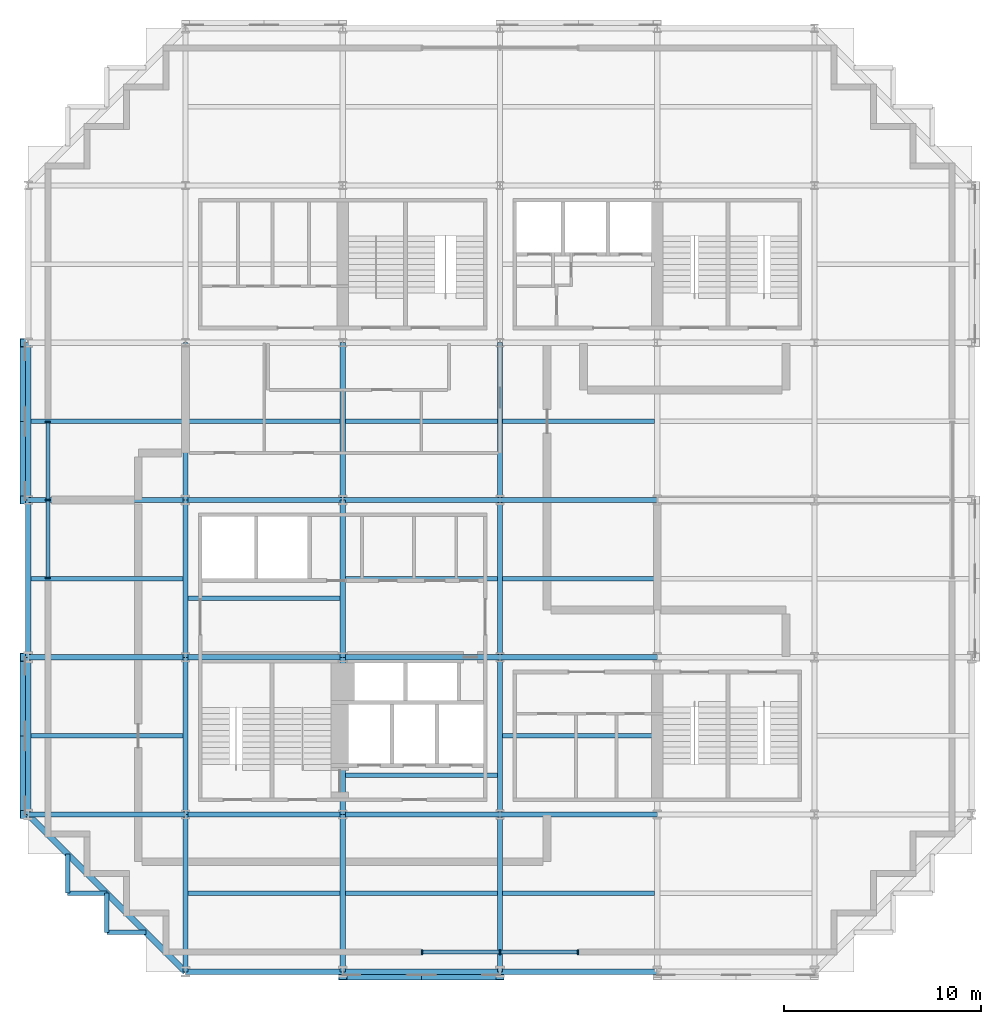
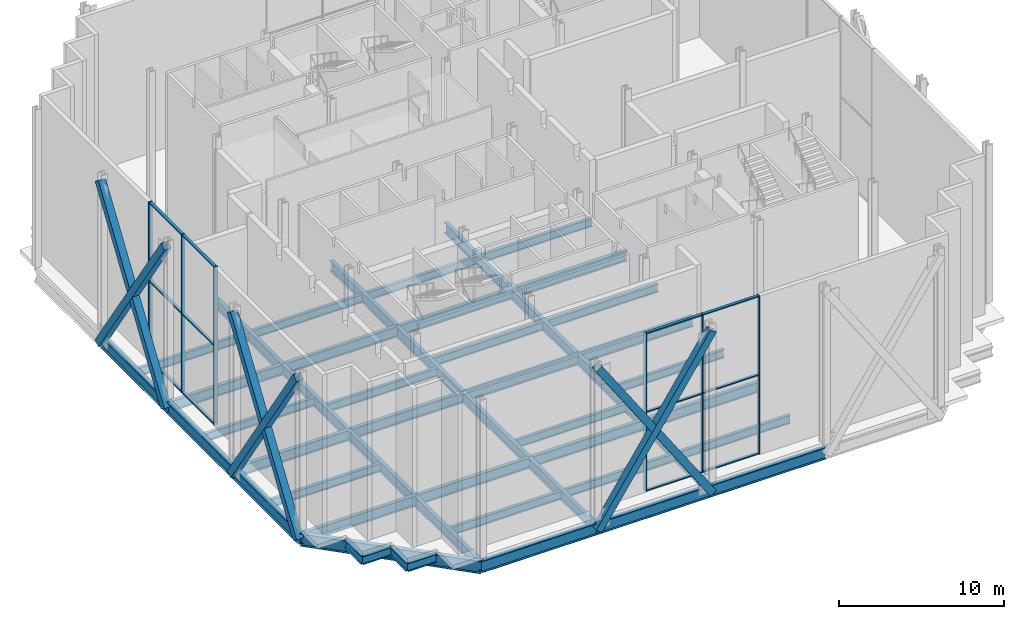
# One storey, part 3 of 14: 49 beams, 24 members, 2 elements without a shape of their own.
"""IFC4 building model written with IfcOpenShell, lengths in metres."""

import ifcopenshell
import ifcopenshell.guid

model = None  # the IFC model being written
_history = None  # IfcOwnerHistory: only IFC2X3 demands one
_inside = {}  # id of a spatial element -> (the spatial element, [elements in it])
_under = {}  # id of a project, library or spatial element -> (it, [spatial elements below it])
_declared = {}  # id of a project -> (the project, [libraries it declares])
_typed = {}  # id of a type object -> (the type object, [elements of that type])
_made_of = {}  # id of a material, layer set ... -> (it, [elements and type objects made of it])


def new_model(schema):
    """Start an empty IFC model of exactly this schema.

    Asked for "IFC4X3", IfcOpenShell would pick the latest addendum, in which some entities
    have other attributes; the version numbers below select the first issue.
    IFC2X3 requires an IfcOwnerHistory on every rooted entity: one is made here for all.
    """
    global model, _history
    if schema == "IFC4X3":
        model = ifcopenshell.file(schema_version=(4, 3, 0, 0))
    else:
        model = ifcopenshell.file(schema=schema)
    _inside.clear()
    _under.clear()
    _declared.clear()
    _typed.clear()
    _made_of.clear()
    _history = None
    if model.schema == "IFC2X3":
        org = make("IfcOrganization", Name="unknown")
        user = make(
            "IfcPersonAndOrganization",
            ThePerson=make("IfcPerson", FamilyName="unknown"),
            TheOrganization=org,
        )
        app = make(
            "IfcApplication",
            ApplicationDeveloper=org,
            Version="unknown",
            ApplicationFullName="unknown",
            ApplicationIdentifier="unknown",
        )
        _history = make(
            "IfcOwnerHistory",
            OwningUser=user,
            OwningApplication=app,
            ChangeAction="ADDED",
            CreationDate=0,
        )
    return model


def make(cls, **values):
    """One entity of the class cls with the attributes given. An attribute that is None is left unset."""
    return model.create_entity(
        cls, **{name: value for name, value in values.items() if value is not None}
    )


def rooted(cls, **values):
    """An entity with a GlobalId (a new one), such as an element, a storey or a relation."""
    return make(cls, GlobalId=ifcopenshell.guid.new(), OwnerHistory=_history, **values)


def si_unit(unit_type, name, prefix=None):
    """IfcSIUnit, for example si_unit("LENGTHUNIT", "METRE", prefix="MILLI")."""
    return make("IfcSIUnit", UnitType=unit_type, Prefix=prefix, Name=name)


def assignment(units):
    """IfcUnitAssignment: the units of a project."""
    return None if units is None else make("IfcUnitAssignment", Units=units)


def point(xyz):
    """IfcCartesianPoint."""
    return None if xyz is None else make("IfcCartesianPoint", Coordinates=xyz)


def direction(xyz):
    """IfcDirection."""
    return None if xyz is None else make("IfcDirection", DirectionRatios=xyz)


def frame(location, z_axis=None, x_axis=None):
    """IfcAxis2Placement3D, a coordinate frame: its origin and axes. An axis left out is left unset."""
    return make(
        "IfcAxis2Placement3D",
        Location=point(location),
        Axis=direction(z_axis),
        RefDirection=direction(x_axis),
    )


def frame_2d(location, x_axis=None):
    """IfcAxis2Placement2D, a coordinate frame in the plane: its origin and x axis."""
    return make(
        "IfcAxis2Placement2D", Location=point(location), RefDirection=direction(x_axis)
    )


def origin():
    """The frame at (0, 0, 0) with its axes left unset."""
    return frame((0.0, 0.0, 0.0))


def origin_2d():
    """The frame at (0, 0) in the plane with its x axis left unset."""
    return frame_2d((0.0, 0.0))


def place(relative_to, where):
    """IfcLocalPlacement: puts the frame where relative to a parent placement (None: the world)."""
    return make(
        "IfcLocalPlacement", PlacementRelTo=relative_to, RelativePlacement=where
    )


def context(
    kind, dimensions, precision=None, world=None, true_north=None, identifier=None
):
    """IfcGeometricRepresentationContext, for example the 3D "Model" context."""
    return make(
        "IfcGeometricRepresentationContext",
        ContextIdentifier=identifier,
        ContextType=kind,
        CoordinateSpaceDimension=dimensions,
        Precision=precision,
        WorldCoordinateSystem=world,
        TrueNorth=true_north,
    )


def subcontext(parent, identifier, kind, view, scale=None):
    """IfcGeometricRepresentationSubContext, for example "Body" below "Model"."""
    return make(
        "IfcGeometricRepresentationSubContext",
        ContextIdentifier=identifier,
        ContextType=kind,
        ParentContext=parent,
        TargetScale=scale,
        TargetView=view,
    )


def project(units=None, contexts=None):
    """IfcProject with its units and contexts."""
    return rooted(
        "IfcProject",
        Name="project",
        RepresentationContexts=contexts,
        UnitsInContext=assignment(units),
    )


def spatial(cls, under=None, at=None, **own):
    """A site, building, storey or space (cls), placed at a placement, below another one or the project."""
    s = rooted(cls, ObjectPlacement=at, **own)
    if under is not None:
        _under.setdefault(under.id(), (under, []))[1].append(s)
    return s


def profile(cls, at=None, kind="AREA", **sizes):
    """A parametric profile (cls). Its sizes go by their IFC names, for example OverallWidth=200.0."""
    return make(cls, ProfileType=kind, Position=at, **sizes)


def rectangle(**sizes):
    """IfcRectangleProfileDef."""
    return profile("IfcRectangleProfileDef", **sizes)


def hollow_rectangle(**sizes):
    """IfcRectangleHollowProfileDef."""
    return profile("IfcRectangleHollowProfileDef", **sizes)


def i_section(**sizes):
    """IfcIShapeProfileDef."""
    return profile("IfcIShapeProfileDef", **sizes)


def extrude(swept, where, along, depth):
    """IfcExtrudedAreaSolid: the profile swept, set in the frame where, extruded along a direction by depth."""
    return make(
        "IfcExtrudedAreaSolid",
        SweptArea=swept,
        Position=where,
        ExtrudedDirection=direction(along),
        Depth=depth,
    )


def shape(context_of_items, identifier, shape_type, items):
    """IfcShapeRepresentation: the items that make up one representation, for example the "Body"."""
    return make(
        "IfcShapeRepresentation",
        ContextOfItems=context_of_items,
        RepresentationIdentifier=identifier,
        RepresentationType=shape_type,
        Items=items,
    )


def material(Name=None, Category=None):
    """IfcMaterial."""
    return make("IfcMaterial", Name=Name, Category=Category)


def material_profile(
    of_material, cross_section, Name=None, Category=None, Priority=None
):
    """IfcMaterialProfile: a cross section and its material."""
    return make(
        "IfcMaterialProfile",
        Name=Name,
        Material=of_material,
        Profile=cross_section,
        Priority=Priority,
        Category=Category,
    )


def profile_set(profiles, Name=None, composite=None):
    """IfcMaterialProfileSet."""
    return make(
        "IfcMaterialProfileSet",
        Name=Name,
        MaterialProfiles=profiles,
        CompositeProfile=composite,
    )


def made_of(thing, what):
    """Note that an element or type object is made of a material, layer set ...; save() writes the relation."""
    if what is not None:
        _made_of.setdefault(what.id(), (what, []))[1].append(thing)
    return thing


def type_object(cls, material=None, **own):
    """A type object (cls), such as IfcWallType, which elements share."""
    return made_of(rooted(cls, **own), material)


def element(
    cls,
    number,
    at=None,
    inside=None,
    cuts=None,
    type_object=None,
    material=None,
    context=None,
    identifier="Body",
    shape_type=None,
    held_by="IfcProductDefinitionShape",
    body=None,
    shapes=None,
    **own,
):
    """One element of the class cls, such as IfcWall. Its Tag is "e" and its number.

    at: its placement. inside: the storey or other place that contains it. cuts: it is an
    opening in that element (IfcRelVoidsElement). A single representation is given by context,
    identifier, shape_type and body (its items); several are given by shapes. held_by: the class
    of the entity that holds the representations. save() writes the other relations.
    """
    e = rooted(cls, Tag="e%d" % number, ObjectPlacement=at, **own)
    if body is not None:
        shapes = [shape(context, identifier, shape_type, body)]
    if shapes is not None:
        e.Representation = make(held_by, Representations=shapes)
    if inside is not None:
        _inside.setdefault(inside.id(), (inside, []))[1].append(e)
    if cuts is not None:
        rooted(
            "IfcRelVoidsElement", RelatingBuildingElement=cuts, RelatedOpeningElement=e
        )
    if type_object is not None:
        _typed.setdefault(type_object.id(), (type_object, []))[1].append(e)
    return made_of(e, material)


def aggregate(whole, parts):
    """IfcRelAggregates: a whole, such as a stair, and the parts it consists of."""
    return rooted("IfcRelAggregates", RelatingObject=whole, RelatedObjects=parts)


def save(model, path):
    """Write the relations noted so far, then the file.

    IfcRelAggregates (storeys below a building ...), IfcRelContainedInSpatialStructure (elements
    in a storey), IfcRelDefinesByType, IfcRelAssociatesMaterial and IfcRelDeclares: one each for
    every whole, place, type object, material and project.
    """
    for whole, parts in _under.values():
        aggregate(whole, parts)
    for where, things in _inside.values():
        rooted(
            "IfcRelContainedInSpatialStructure",
            RelatedElements=things,
            RelatingStructure=where,
        )
    for kind, things in _typed.values():
        rooted("IfcRelDefinesByType", RelatedObjects=things, RelatingType=kind)
    for what, things in _made_of.values():
        rooted("IfcRelAssociatesMaterial", RelatedObjects=things, RelatingMaterial=what)
    for by, libraries in _declared.values():
        rooted("IfcRelDeclares", RelatingContext=by, RelatedDefinitions=libraries)
    model.write(path)


model = new_model("IFC4")

# Units and contexts
model_context = context("Model", 3, precision=1e-05, world=origin(), true_north=direction((0.0, 1.0)))
body_context = subcontext(model_context, "Body", "Model", "MODEL_VIEW")
ifc_project = project(units=[si_unit("LENGTHUNIT", "METRE"), si_unit("AREAUNIT", "SQUARE_METRE"), si_unit("VOLUMEUNIT", "CUBIC_METRE"), si_unit("PLANEANGLEUNIT", "RADIAN"), si_unit("MASSUNIT", "GRAM", prefix="KILO")], contexts=[model_context])

# Site, building, storey
site_placement = place(None, origin())
site = spatial("IfcSite", under=ifc_project, at=site_placement, CompositionType="ELEMENT")
building_placement = place(site_placement, origin())
building = spatial("IfcBuilding", under=site, at=building_placement, Name="Immortelle Media Tower", CompositionType="ELEMENT")
storey_placement = place(building_placement, frame((0.0, 0.0, 9.0)))
storey = spatial("IfcBuildingStorey", under=building, at=storey_placement, Name="L01", CompositionType="ELEMENT", Elevation=9.0)

# Members
ifc_material_1 = material(Name="Steel ASTM A500 Gr C", Category="steel")
ifc_material_profile_1 = material_profile(ifc_material_1, hollow_rectangle(XDim=0.508056640625, YDim=0.508056640625, WallThickness=0.014892578125, at=origin_2d()), Name="HSS20x20x5/8 brace")
ifc_profile_set_1 = profile_set([ifc_material_profile_1], Name="Steel ASTM A500 Gr C")
member_type_1 = type_object("IfcMemberType", Name="HSS20x20x5/8 brace", PredefinedType="BRACE", material=ifc_profile_set_1)
for number, where, z_axis, x_axis, name in (
    (1, (-0.1640625, 32.0, -0.7294921875), (0.0, -0.554700196225, 0.832050294338), (1.0, 0.0, 0.0), "Brace 1/D-E A"),
    (2, (-0.1640625, 32.0, 11.2705078125), (0.0, -0.554700196225, -0.832050294338), (1.0, 0.0, 0.0), "Brace 1/D-E B"),
    (3, (-0.1640625, 16.0, -0.7294921875), (0.0, -0.554700196225, 0.832050294338), (1.0, 0.0, 0.0), "Brace 1/B-C A"),
    (4, (-0.1640625, 16.0, 11.2705078125), (0.0, -0.554700196225, -0.832050294338), (1.0, 0.0, 0.0), "Brace 1/B-C B"),
    (5, (16.0, -0.1640625, -0.7294921875), (0.554700196225, 0.0, 0.832050294338), (0.0, 1.0, 0.0), "Brace A/3-4 A"),
    (6, (16.0, -0.1640625, 11.2705078125), (0.554700196225, 0.0, -0.832050294338), (0.0, 1.0, 0.0), "Brace A/3-4 B"),
):
    element("IfcMember", number, at=place(storey_placement, frame(where, z_axis=z_axis, x_axis=x_axis)), inside=storey, type_object=member_type_1, Name=name, PredefinedType="BRACE", context=body_context, shape_type="SweptSolid", body=[
        extrude(hollow_rectangle(XDim=0.508056640625, YDim=0.508056640625, WallThickness=0.014892578125, at=origin_2d()), origin(), (0.0, 0.0, 1.0), 14.422119140625),
    ])

# Curtain wall, members
ifc_material_2 = material(Name="Aluminium curtain wall system", Category="aluminium")
curtain_wall_type = type_object("IfcCurtainWallType", Name="Media wall curtain wall", PredefinedType="NOTDEFINED", material=ifc_material_2)
curtain_wall_1_placement = place(storey_placement, origin())
curtain_wall_1 = element("IfcCurtainWall", 7, at=curtain_wall_1_placement, inside=storey, type_object=curtain_wall_type, Name="Media wall L01 S 7-2", PredefinedType="NOTDEFINED")
ifc_material_3 = material(Name="Aluminium 6063-T6", Category="aluminium")
ifc_material_profile_2 = material_profile(ifc_material_3, rectangle(XDim=0.25, YDim=0.080078125, at=origin_2d()), Name="AL 80x250")
ifc_profile_set_2 = profile_set([ifc_material_profile_2], Name="Aluminium 6063-T6")
member_type_2 = type_object("IfcMemberType", Name="Media wall mullion 80 x 250", PredefinedType="MULLION", material=ifc_profile_set_2)
member_1_placement = place(storey_placement, frame((20.0400390625, 1.0, 0.0), z_axis=(0.0, 0.0, 1.0), x_axis=(0.0, 1.0, 0.0)))
member_1 = element("IfcMember", 8, at=member_1_placement, type_object=member_type_2, Name="CW3 mullion 1", PredefinedType="MULLION", context=body_context, shape_type="SweptSolid", body=[
    extrude(rectangle(XDim=0.25, YDim=0.080078125, at=origin_2d()), origin(), (0.0, 0.0, 1.0), 11.699951171875),
])
member_2_placement = place(storey_placement, frame((24.0, 1.0, 0.0), z_axis=(0.0, 0.0, 1.0), x_axis=(0.0, 1.0, 0.0)))
member_2 = element("IfcMember", 9, at=member_2_placement, type_object=member_type_2, Name="CW3 mullion 2", PredefinedType="MULLION", context=body_context, shape_type="SweptSolid", body=[
    extrude(rectangle(XDim=0.25, YDim=0.080078125, at=origin_2d()), origin(), (0.0, 0.0, 1.0), 11.699951171875),
])
member_3_placement = place(storey_placement, frame((27.9599609375, 1.0, 0.0), z_axis=(0.0, 0.0, 1.0), x_axis=(0.0, 1.0, 0.0)))
member_3 = element("IfcMember", 10, at=member_3_placement, type_object=member_type_2, Name="CW3 mullion 3", PredefinedType="MULLION", context=body_context, shape_type="SweptSolid", body=[
    extrude(rectangle(XDim=0.25, YDim=0.080078125, at=origin_2d()), origin(), (0.0, 0.0, 1.0), 11.699951171875),
])

curtain_wall_2_placement = place(storey_placement, origin())
curtain_wall_2 = element("IfcCurtainWall", 11, at=curtain_wall_2_placement, inside=storey, type_object=curtain_wall_type, Name="Media wall L01 W 28-2", PredefinedType="NOTDEFINED")
member_4_placement = place(storey_placement, frame((1.0, 27.9599609375, 0.0), z_axis=(0.0, 0.0, 1.0), x_axis=(1.0, 0.0, 0.0)))
member_4 = element("IfcMember", 12, at=member_4_placement, type_object=member_type_2, Name="CW3 mullion 1", PredefinedType="MULLION", context=body_context, shape_type="SweptSolid", body=[
    extrude(rectangle(XDim=0.25, YDim=0.080078125, at=origin_2d()), origin(), (0.0, 0.0, 1.0), 11.699951171875),
])
member_5_placement = place(storey_placement, frame((1.0, 24.0, 0.0), z_axis=(0.0, 0.0, 1.0), x_axis=(1.0, 0.0, 0.0)))
member_5 = element("IfcMember", 13, at=member_5_placement, type_object=member_type_2, Name="CW3 mullion 2", PredefinedType="MULLION", context=body_context, shape_type="SweptSolid", body=[
    extrude(rectangle(XDim=0.25, YDim=0.080078125, at=origin_2d()), origin(), (0.0, 0.0, 1.0), 11.699951171875),
])
member_6_placement = place(storey_placement, frame((1.0, 20.0400390625, 0.0), z_axis=(0.0, 0.0, 1.0), x_axis=(1.0, 0.0, 0.0)))
member_6 = element("IfcMember", 14, at=member_6_placement, type_object=member_type_2, Name="CW3 mullion 3", PredefinedType="MULLION", context=body_context, shape_type="SweptSolid", body=[
    extrude(rectangle(XDim=0.25, YDim=0.080078125, at=origin_2d()), origin(), (0.0, 0.0, 1.0), 11.699951171875),
])

# Member
ifc_material_profile_3 = material_profile(ifc_material_3, rectangle(XDim=0.199951171875, YDim=0.080078125, at=origin_2d()), Name="AL 80x200")
ifc_profile_set_3 = profile_set([ifc_material_profile_3], Name="Aluminium 6063-T6")
member_type_3 = type_object("IfcMemberType", Name="Media wall transom 80 x 200", PredefinedType="USERDEFINED", material=ifc_profile_set_3)
member_7_placement = place(storey_placement, frame((20.080078125, 1.0, 0.0400390625), z_axis=(1.0, 0.0, 0.0), x_axis=(0.0, 1.0, 0.0)))
member_7 = element("IfcMember", 15, at=member_7_placement, type_object=member_type_3, Name="CW3 transom 1.1", ObjectType="TRANSOM", PredefinedType="USERDEFINED", context=body_context, shape_type="SweptSolid", body=[
    extrude(rectangle(XDim=0.199951171875, YDim=0.080078125, at=origin_2d()), origin(), (0.0, 0.0, 1.0), 3.8798828125),
])

member_8_placement = place(storey_placement, frame((20.080078125, 1.0, 5.85009765625), z_axis=(1.0, 0.0, 0.0), x_axis=(0.0, 1.0, 0.0)))
member_8 = element("IfcMember", 16, at=member_8_placement, type_object=member_type_3, Name="CW3 transom 1.2", ObjectType="TRANSOM", PredefinedType="USERDEFINED", context=body_context, shape_type="SweptSolid", body=[
    extrude(rectangle(XDim=0.199951171875, YDim=0.080078125, at=origin_2d()), origin(), (0.0, 0.0, 1.0), 3.8798828125),
])

member_9_placement = place(storey_placement, frame((20.080078125, 1.0, 11.659912109375), z_axis=(1.0, 0.0, 0.0), x_axis=(0.0, 1.0, 0.0)))
member_9 = element("IfcMember", 17, at=member_9_placement, type_object=member_type_3, Name="CW3 transom 1.3", ObjectType="TRANSOM", PredefinedType="USERDEFINED", context=body_context, shape_type="SweptSolid", body=[
    extrude(rectangle(XDim=0.199951171875, YDim=0.080078125, at=origin_2d()), origin(), (0.0, 0.0, 1.0), 3.8798828125),
])

member_10_placement = place(storey_placement, frame((24.0400390625, 1.0, 0.0400390625), z_axis=(1.0, 0.0, 0.0), x_axis=(0.0, 1.0, 0.0)))
member_10 = element("IfcMember", 18, at=member_10_placement, type_object=member_type_3, Name="CW3 transom 2.1", ObjectType="TRANSOM", PredefinedType="USERDEFINED", context=body_context, shape_type="SweptSolid", body=[
    extrude(rectangle(XDim=0.199951171875, YDim=0.080078125, at=origin_2d()), origin(), (0.0, 0.0, 1.0), 3.8798828125),
])

member_11_placement = place(storey_placement, frame((24.0400390625, 1.0, 5.85009765625), z_axis=(1.0, 0.0, 0.0), x_axis=(0.0, 1.0, 0.0)))
member_11 = element("IfcMember", 19, at=member_11_placement, type_object=member_type_3, Name="CW3 transom 2.2", ObjectType="TRANSOM", PredefinedType="USERDEFINED", context=body_context, shape_type="SweptSolid", body=[
    extrude(rectangle(XDim=0.199951171875, YDim=0.080078125, at=origin_2d()), origin(), (0.0, 0.0, 1.0), 3.8798828125),
])

member_12_placement = place(storey_placement, frame((24.0400390625, 1.0, 11.659912109375), z_axis=(1.0, 0.0, 0.0), x_axis=(0.0, 1.0, 0.0)))
member_12 = element("IfcMember", 20, at=member_12_placement, type_object=member_type_3, Name="CW3 transom 2.3", ObjectType="TRANSOM", PredefinedType="USERDEFINED", context=body_context, shape_type="SweptSolid", body=[
    extrude(rectangle(XDim=0.199951171875, YDim=0.080078125, at=origin_2d()), origin(), (0.0, 0.0, 1.0), 3.8798828125),
])

aggregate(curtain_wall_1, [member_1, member_2, member_3, member_7, member_8, member_9, member_10, member_11, member_12])

member_13_placement = place(storey_placement, frame((1.0, 27.919921875, 0.0400390625), z_axis=(0.0, -1.0, 0.0), x_axis=(1.0, 0.0, 0.0)))
member_13 = element("IfcMember", 21, at=member_13_placement, type_object=member_type_3, Name="CW3 transom 1.1", ObjectType="TRANSOM", PredefinedType="USERDEFINED", context=body_context, shape_type="SweptSolid", body=[
    extrude(rectangle(XDim=0.199951171875, YDim=0.080078125, at=origin_2d()), origin(), (0.0, 0.0, 1.0), 3.8798828125),
])

member_14_placement = place(storey_placement, frame((1.0, 27.919921875, 5.85009765625), z_axis=(0.0, -1.0, 0.0), x_axis=(1.0, 0.0, 0.0)))
member_14 = element("IfcMember", 22, at=member_14_placement, type_object=member_type_3, Name="CW3 transom 1.2", ObjectType="TRANSOM", PredefinedType="USERDEFINED", context=body_context, shape_type="SweptSolid", body=[
    extrude(rectangle(XDim=0.199951171875, YDim=0.080078125, at=origin_2d()), origin(), (0.0, 0.0, 1.0), 3.8798828125),
])

member_15_placement = place(storey_placement, frame((1.0, 27.919921875, 11.659912109375), z_axis=(0.0, -1.0, 0.0), x_axis=(1.0, 0.0, 0.0)))
member_15 = element("IfcMember", 23, at=member_15_placement, type_object=member_type_3, Name="CW3 transom 1.3", ObjectType="TRANSOM", PredefinedType="USERDEFINED", context=body_context, shape_type="SweptSolid", body=[
    extrude(rectangle(XDim=0.199951171875, YDim=0.080078125, at=origin_2d()), origin(), (0.0, 0.0, 1.0), 3.8798828125),
])

member_16_placement = place(storey_placement, frame((1.0, 23.9599609375, 0.0400390625), z_axis=(0.0, -1.0, 0.0), x_axis=(1.0, 0.0, 0.0)))
member_16 = element("IfcMember", 24, at=member_16_placement, type_object=member_type_3, Name="CW3 transom 2.1", ObjectType="TRANSOM", PredefinedType="USERDEFINED", context=body_context, shape_type="SweptSolid", body=[
    extrude(rectangle(XDim=0.199951171875, YDim=0.080078125, at=origin_2d()), origin(), (0.0, 0.0, 1.0), 3.8798828125),
])

member_17_placement = place(storey_placement, frame((1.0, 23.9599609375, 5.85009765625), z_axis=(0.0, -1.0, 0.0), x_axis=(1.0, 0.0, 0.0)))
member_17 = element("IfcMember", 25, at=member_17_placement, type_object=member_type_3, Name="CW3 transom 2.2", ObjectType="TRANSOM", PredefinedType="USERDEFINED", context=body_context, shape_type="SweptSolid", body=[
    extrude(rectangle(XDim=0.199951171875, YDim=0.080078125, at=origin_2d()), origin(), (0.0, 0.0, 1.0), 3.8798828125),
])

member_18_placement = place(storey_placement, frame((1.0, 23.9599609375, 11.659912109375), z_axis=(0.0, -1.0, 0.0), x_axis=(1.0, 0.0, 0.0)))
member_18 = element("IfcMember", 26, at=member_18_placement, type_object=member_type_3, Name="CW3 transom 2.3", ObjectType="TRANSOM", PredefinedType="USERDEFINED", context=body_context, shape_type="SweptSolid", body=[
    extrude(rectangle(XDim=0.199951171875, YDim=0.080078125, at=origin_2d()), origin(), (0.0, 0.0, 1.0), 3.8798828125),
])

aggregate(curtain_wall_2, [member_4, member_5, member_6, member_13, member_14, member_15, member_16, member_17, member_18])

# Beams
ifc_material_4 = material(Name="Steel ASTM A992 Gr 50", Category="steel")
ifc_material_profile_4 = material_profile(ifc_material_4, i_section(OverallWidth=0.22900390625, OverallDepth=0.612060546875, WebThickness=0.011962890625, FlangeThickness=0.02001953125, at=origin_2d()), Name="W24x84")
ifc_profile_set_4 = profile_set([ifc_material_profile_4], Name="Steel ASTM A992 Gr 50")
beam_type_1 = type_object("IfcBeamType", Name="W24x84 secondary beam", PredefinedType="JOIST", material=ifc_profile_set_4)
for number, where, z_axis, x_axis, name in (
    (27, (8.133544921875, 4.0, -0.60595703125), (1.0, 0.0, 0.0), (0.0, 1.0, 0.0), "Beam A-B/2-3"),
    (28, (16.133544921875, 4.0, -0.60595703125), (1.0, 0.0, 0.0), (0.0, 1.0, 0.0), "Beam A-B/3-4"),
    (29, (24.133544921875, 4.0, -0.60595703125), (1.0, 0.0, 0.0), (0.0, 1.0, 0.0), "Beam A-B/4-5"),
):
    element("IfcBeam", number, at=place(storey_placement, frame(where, z_axis=z_axis, x_axis=x_axis)), inside=storey, type_object=beam_type_1, Name=name, PredefinedType="JOIST", context=body_context, shape_type="SweptSolid", body=[
        extrude(i_section(OverallWidth=0.22900390625, OverallDepth=0.612060546875, WebThickness=0.011962890625, FlangeThickness=0.02001953125, at=origin_2d()), origin(), (0.0, 0.0, 1.0), 7.73291015625),
    ])
beam_1_placement = place(storey_placement, frame((0.14599609375, 12.0, -0.60595703125), z_axis=(1.0, 0.0, 0.0), x_axis=(0.0, 1.0, 0.0)))
element("IfcBeam", 30, at=beam_1_placement, inside=storey, type_object=beam_type_1, Name="Beam B-C/1-2", PredefinedType="JOIST", context=body_context, shape_type="SweptSolid", body=[
    extrude(i_section(OverallWidth=0.22900390625, OverallDepth=0.612060546875, WebThickness=0.011962890625, FlangeThickness=0.02001953125, at=origin_2d()), origin(), (0.0, 0.0, 1.0), 7.720458984375),
])
for number, where, z_axis, x_axis, name in (
    (31, (16.133544921875, 10.0, -0.60595703125), (1.0, 0.0, 0.0), (0.0, 1.0, 0.0), "Beam B-C/3-4"),
    (32, (24.133544921875, 12.0, -0.60595703125), (1.0, 0.0, 0.0), (0.0, 1.0, 0.0), "Beam B-C/4-5"),
):
    element("IfcBeam", number, at=place(storey_placement, frame(where, z_axis=z_axis, x_axis=x_axis)), inside=storey, type_object=beam_type_1, Name=name, PredefinedType="JOIST", context=body_context, shape_type="SweptSolid", body=[
        extrude(i_section(OverallWidth=0.22900390625, OverallDepth=0.612060546875, WebThickness=0.011962890625, FlangeThickness=0.02001953125, at=origin_2d()), origin(), (0.0, 0.0, 1.0), 7.73291015625),
    ])
beam_2_placement = place(storey_placement, frame((0.14599609375, 20.0, -0.60595703125), z_axis=(1.0, 0.0, 0.0), x_axis=(0.0, 1.0, 0.0)))
element("IfcBeam", 33, at=beam_2_placement, inside=storey, type_object=beam_type_1, Name="Beam C-D/1-2", PredefinedType="JOIST", context=body_context, shape_type="SweptSolid", body=[
    extrude(i_section(OverallWidth=0.22900390625, OverallDepth=0.612060546875, WebThickness=0.011962890625, FlangeThickness=0.02001953125, at=origin_2d()), origin(), (0.0, 0.0, 1.0), 7.720458984375),
])
for number, where, z_axis, x_axis, name in (
    (34, (8.133544921875, 19.0, -0.60595703125), (1.0, 0.0, 0.0), (0.0, 1.0, 0.0), "Beam C-D/2-3"),
    (35, (16.133544921875, 20.0, -0.60595703125), (1.0, 0.0, 0.0), (0.0, 1.0, 0.0), "Beam C-D/3-4"),
    (36, (24.133544921875, 20.0, -0.60595703125), (1.0, 0.0, 0.0), (0.0, 1.0, 0.0), "Beam C-D/4-5"),
):
    element("IfcBeam", number, at=place(storey_placement, frame(where, z_axis=z_axis, x_axis=x_axis)), inside=storey, type_object=beam_type_1, Name=name, PredefinedType="JOIST", context=body_context, shape_type="SweptSolid", body=[
        extrude(i_section(OverallWidth=0.22900390625, OverallDepth=0.612060546875, WebThickness=0.011962890625, FlangeThickness=0.02001953125, at=origin_2d()), origin(), (0.0, 0.0, 1.0), 7.73291015625),
    ])
beam_3_placement = place(storey_placement, frame((0.14599609375, 28.0, -0.60595703125), z_axis=(1.0, 0.0, 0.0), x_axis=(0.0, 1.0, 0.0)))
element("IfcBeam", 37, at=beam_3_placement, inside=storey, type_object=beam_type_1, Name="Beam D-E/1-2", PredefinedType="JOIST", context=body_context, shape_type="SweptSolid", body=[
    extrude(i_section(OverallWidth=0.22900390625, OverallDepth=0.612060546875, WebThickness=0.011962890625, FlangeThickness=0.02001953125, at=origin_2d()), origin(), (0.0, 0.0, 1.0), 7.720458984375),
])
for number, where, z_axis, x_axis, name in (
    (38, (8.133544921875, 28.0, -0.60595703125), (1.0, 0.0, 0.0), (0.0, 1.0, 0.0), "Beam D-E/2-3"),
    (39, (16.133544921875, 28.0, -0.60595703125), (1.0, 0.0, 0.0), (0.0, 1.0, 0.0), "Beam D-E/3-4"),
    (40, (24.133544921875, 28.0, -0.60595703125), (1.0, 0.0, 0.0), (0.0, 1.0, 0.0), "Beam D-E/4-5"),
):
    element("IfcBeam", number, at=place(storey_placement, frame(where, z_axis=z_axis, x_axis=x_axis)), inside=storey, type_object=beam_type_1, Name=name, PredefinedType="JOIST", context=body_context, shape_type="SweptSolid", body=[
        extrude(i_section(OverallWidth=0.22900390625, OverallDepth=0.612060546875, WebThickness=0.011962890625, FlangeThickness=0.02001953125, at=origin_2d()), origin(), (0.0, 0.0, 1.0), 7.73291015625),
    ])
ifc_material_profile_5 = material_profile(ifc_material_4, i_section(OverallWidth=0.22900390625, OverallDepth=0.612060546875, WebThickness=0.011962890625, FlangeThickness=0.02001953125, at=origin_2d()), Name="W24x84")
ifc_profile_set_5 = profile_set([ifc_material_profile_5], Name="Steel ASTM A992 Gr 50")
beam_type_2 = type_object("IfcBeamType", Name="W24x84 serration edge beam", PredefinedType="SPANDREL", material=ifc_profile_set_5)
for number, where, z_axis, x_axis, name in (
    (41, (6.0, 2.0, -0.60595703125), (-1.0, 0.0, 0.0), (0.0, -1.0, 0.0), "Corner edge beam 1 at 1/A"),
    (42, (4.0, 2.0, -0.60595703125), (0.0, 1.0, 0.0), (-1.0, 0.0, 0.0), "Corner edge beam 2 at 1/A"),
    (43, (4.0, 4.0, -0.60595703125), (-1.0, 0.0, 0.0), (0.0, -1.0, 0.0), "Corner edge beam 3 at 1/A"),
    (44, (2.0, 4.0, -0.60595703125), (0.0, 1.0, 0.0), (-1.0, 0.0, 0.0), "Corner edge beam 4 at 1/A"),
):
    element("IfcBeam", number, at=place(storey_placement, frame(where, z_axis=z_axis, x_axis=x_axis)), inside=storey, type_object=beam_type_2, Name=name, PredefinedType="SPANDREL", context=body_context, shape_type="SweptSolid", body=[
        extrude(i_section(OverallWidth=0.22900390625, OverallDepth=0.612060546875, WebThickness=0.011962890625, FlangeThickness=0.02001953125, at=origin_2d()), origin(), (0.0, 0.0, 1.0), 2.0),
    ])
ifc_material_profile_6 = material_profile(ifc_material_4, i_section(OverallWidth=0.26708984375, OverallDepth=0.761962890625, WebThickness=0.013916015625, FlangeThickness=0.02197265625, at=origin_2d()), Name="W30x116")
ifc_profile_set_6 = profile_set([ifc_material_profile_6], Name="Steel ASTM A992 Gr 50")
beam_type_3 = type_object("IfcBeamType", Name="W30x116 girder", PredefinedType="BEAM", material=ifc_profile_set_6)
for number, where, z_axis, x_axis, name in (
    (45, (0.0, 8.0, -0.680908203125), (1.0, 0.0, 0.0), (0.0, 1.0, 0.0), "Girder B/1-2"),
    (46, (0.0, 16.0, -0.680908203125), (1.0, 0.0, 0.0), (0.0, 1.0, 0.0), "Girder C/1-2"),
    (47, (0.0, 24.0, -0.680908203125), (1.0, 0.0, 0.0), (0.0, 1.0, 0.0), "Girder D/1-2"),
    (48, (8.0, 0.0, -0.680908203125), (0.0, 1.0, 0.0), (-1.0, 0.0, 0.0), "Girder 2/A-B"),
    (49, (8.0, 8.0, -0.680908203125), (1.0, 0.0, 0.0), (0.0, 1.0, 0.0), "Girder B/2-3"),
    (50, (8.0, 8.0, -0.680908203125), (0.0, 1.0, 0.0), (-1.0, 0.0, 0.0), "Girder 2/B-C"),
    (51, (8.0, 16.0, -0.680908203125), (1.0, 0.0, 0.0), (0.0, 1.0, 0.0), "Girder C/2-3"),
    (52, (8.0, 16.0, -0.680908203125), (0.0, 1.0, 0.0), (-1.0, 0.0, 0.0), "Girder 2/C-D"),
    (53, (8.0, 24.0, -0.680908203125), (1.0, 0.0, 0.0), (0.0, 1.0, 0.0), "Girder D/2-3"),
    (54, (8.0, 24.0, -0.680908203125), (0.0, 1.0, 0.0), (-1.0, 0.0, 0.0), "Girder 2/D-E"),
    (55, (16.0, 0.0, -0.680908203125), (0.0, 1.0, 0.0), (-1.0, 0.0, 0.0), "Girder 3/A-B"),
    (56, (16.0, 8.0, -0.680908203125), (1.0, 0.0, 0.0), (0.0, 1.0, 0.0), "Girder B/3-4"),
    (57, (16.0, 8.0, -0.680908203125), (0.0, 1.0, 0.0), (-1.0, 0.0, 0.0), "Girder 3/B-C"),
    (58, (16.0, 16.0, -0.680908203125), (1.0, 0.0, 0.0), (0.0, 1.0, 0.0), "Girder C/3-4"),
    (59, (16.0, 16.0, -0.680908203125), (0.0, 1.0, 0.0), (-1.0, 0.0, 0.0), "Girder 3/C-D"),
    (60, (16.0, 24.0, -0.680908203125), (1.0, 0.0, 0.0), (0.0, 1.0, 0.0), "Girder D/3-4"),
    (61, (16.0, 24.0, -0.680908203125), (0.0, 1.0, 0.0), (-1.0, 0.0, 0.0), "Girder 3/D-E"),
    (62, (24.0, 0.0, -0.680908203125), (0.0, 1.0, 0.0), (-1.0, 0.0, 0.0), "Girder 4/A-B"),
    (63, (24.0, 8.0, -0.680908203125), (1.0, 0.0, 0.0), (0.0, 1.0, 0.0), "Girder B/4-5"),
    (64, (24.0, 8.0, -0.680908203125), (0.0, 1.0, 0.0), (-1.0, 0.0, 0.0), "Girder 4/B-C"),
    (65, (24.0, 16.0, -0.680908203125), (1.0, 0.0, 0.0), (0.0, 1.0, 0.0), "Girder C/4-5"),
    (66, (24.0, 16.0, -0.680908203125), (0.0, 1.0, 0.0), (-1.0, 0.0, 0.0), "Girder 4/C-D"),
    (67, (24.0, 24.0, -0.680908203125), (1.0, 0.0, 0.0), (0.0, 1.0, 0.0), "Girder D/4-5"),
    (68, (24.0, 24.0, -0.680908203125), (0.0, 1.0, 0.0), (-1.0, 0.0, 0.0), "Girder 4/D-E"),
):
    element("IfcBeam", number, at=place(storey_placement, frame(where, z_axis=z_axis, x_axis=x_axis)), inside=storey, type_object=beam_type_3, Name=name, PredefinedType="BEAM", context=body_context, shape_type="SweptSolid", body=[
        extrude(i_section(OverallWidth=0.26708984375, OverallDepth=0.761962890625, WebThickness=0.013916015625, FlangeThickness=0.02197265625, at=origin_2d()), origin(), (0.0, 0.0, 1.0), 8.0),
    ])
ifc_material_profile_7 = material_profile(ifc_material_4, i_section(OverallWidth=0.2919921875, OverallDepth=0.85888671875, WebThickness=0.01708984375, FlangeThickness=0.031005859375, at=origin_2d()), Name="W33x169")
ifc_profile_set_7 = profile_set([ifc_material_profile_7], Name="Steel ASTM A992 Gr 50")
beam_type_4 = type_object("IfcBeamType", Name="W33x169 perimeter girder", PredefinedType="SPANDREL", material=ifc_profile_set_7)
for number, where, z_axis, x_axis, name in (
    (69, (0.0, 8.0, -0.7294921875), (0.0, 1.0, 0.0), (-1.0, 0.0, 0.0), "Girder 1/B-C"),
    (70, (0.0, 16.0, -0.7294921875), (0.0, 1.0, 0.0), (-1.0, 0.0, 0.0), "Girder 1/C-D"),
    (71, (0.0, 24.0, -0.7294921875), (0.0, 1.0, 0.0), (-1.0, 0.0, 0.0), "Girder 1/D-E"),
    (72, (8.0, 0.0, -0.7294921875), (1.0, 0.0, 0.0), (0.0, 1.0, 0.0), "Girder A/2-3"),
    (73, (16.0, 0.0, -0.7294921875), (1.0, 0.0, 0.0), (0.0, 1.0, 0.0), "Girder A/3-4"),
    (74, (24.0, 0.0, -0.7294921875), (1.0, 0.0, 0.0), (0.0, 1.0, 0.0), "Girder A/4-5"),
):
    element("IfcBeam", number, at=place(storey_placement, frame(where, z_axis=z_axis, x_axis=x_axis)), inside=storey, type_object=beam_type_4, Name=name, PredefinedType="SPANDREL", context=body_context, shape_type="SweptSolid", body=[
        extrude(i_section(OverallWidth=0.2919921875, OverallDepth=0.85888671875, WebThickness=0.01708984375, FlangeThickness=0.031005859375, at=origin_2d()), origin(), (0.0, 0.0, 1.0), 8.0),
    ])
ifc_material_profile_8 = material_profile(ifc_material_4, i_section(OverallWidth=0.306884765625, OverallDepth=0.927001953125, WebThickness=0.01904296875, FlangeThickness=0.031982421875, at=origin_2d()), Name="W36x194")
ifc_profile_set_8 = profile_set([ifc_material_profile_8], Name="Steel ASTM A992 Gr 50")
beam_type_5 = type_object("IfcBeamType", Name="W36x194 corner girder", PredefinedType="SPANDREL", material=ifc_profile_set_8)
beam_4_placement = place(storey_placement, frame((8.0, 0.0, -0.763427734375), z_axis=(-0.707106781187, 0.707106781187, 0.0), x_axis=(-0.707106781187, -0.707106781187, 0.0)))
element("IfcBeam", 75, at=beam_4_placement, inside=storey, type_object=beam_type_5, Name="Corner girder at 1/A", PredefinedType="SPANDREL", context=body_context, shape_type="SweptSolid", body=[
    extrude(i_section(OverallWidth=0.306884765625, OverallDepth=0.927001953125, WebThickness=0.01904296875, FlangeThickness=0.031982421875, at=origin_2d()), origin(), (0.0, 0.0, 1.0), 11.313720703125),
])

save(model, "model.ifc")
